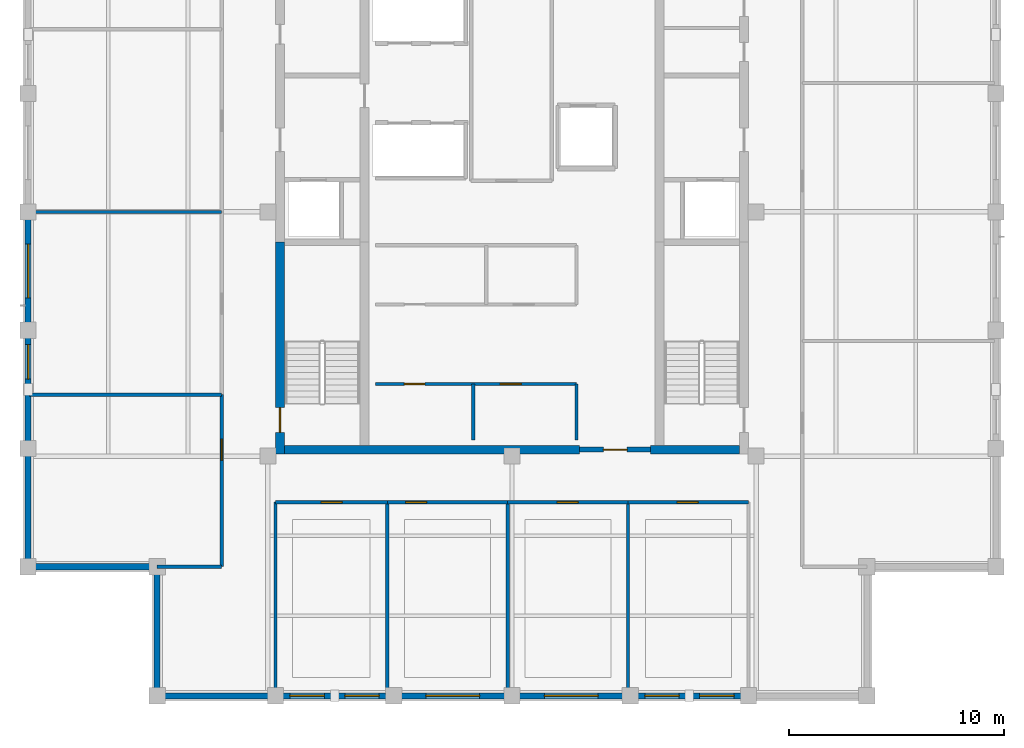
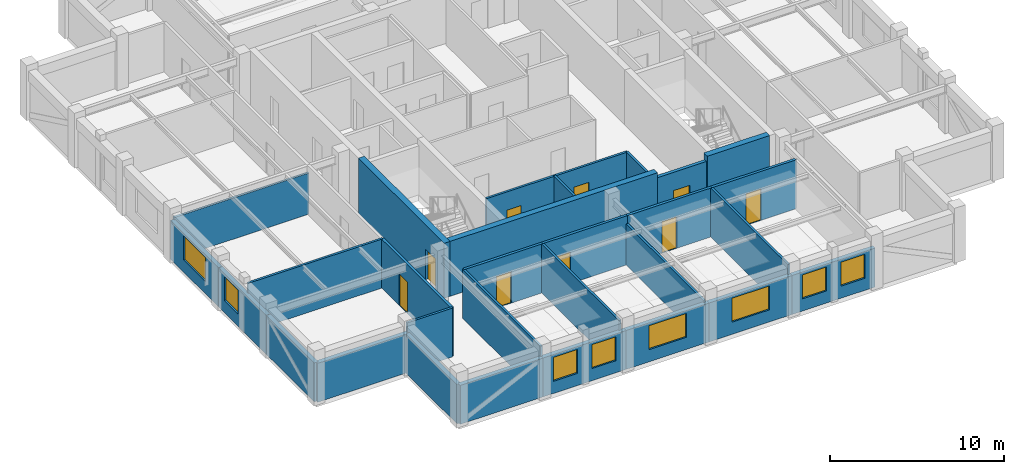
# One storey, part 5 of 10: 29 walls, 9 doors, 8 windows, 17 openings.
"""IFC4 building model written with IfcOpenShell, lengths in metres."""

from ifc_helpers import new_model, si_unit, direction, frame, frame_2d, origin, place, context, subcontext, project, spatial, rectangle, extrude, material, layer, layer_set, type_object, element, fill, save


model = new_model("IFC4")

# Units and contexts
model_context = context("Model", 3, precision=1e-05, world=origin(), true_north=direction((0.0, 1.0)))
body_context = subcontext(model_context, "Body", "Model", "MODEL_VIEW")
ifc_project = project(units=[si_unit("LENGTHUNIT", "METRE"), si_unit("AREAUNIT", "SQUARE_METRE"), si_unit("VOLUMEUNIT", "CUBIC_METRE"), si_unit("PLANEANGLEUNIT", "RADIAN"), si_unit("MASSUNIT", "GRAM", prefix="KILO")], contexts=[model_context])

# Site, building, storey
site_placement = place(None, origin())
site = spatial("IfcSite", under=ifc_project, at=site_placement, CompositionType="ELEMENT")
building_placement = place(site_placement, origin())
building = spatial("IfcBuilding", under=site, at=building_placement, Name="Nhamokura Convention Tower", CompositionType="ELEMENT")
storey_placement = place(building_placement, frame((0.0, 0.0, 262.14990234375)))
storey = spatial("IfcBuildingStorey", under=building, at=storey_placement, Name="L64", CompositionType="ELEMENT", Elevation=262.14990234375)

# Wall
ifc_material_1 = material(Name="Bronze-pigmented precast concrete C45/55", Category="concrete")
ifc_layer_1 = layer(ifc_material_1, 0.280029296875)
ifc_layer_set_1 = layer_set([ifc_layer_1], Name="BronzePrecastSpandrel_280")
wall_type_1 = type_object("IfcWallType", Name="BronzePrecastSpandrel_280", PredefinedType="USERDEFINED", material=ifc_layer_set_1)
wall_1_placement = place(storey_placement, frame((21.0, 9.5, 0.0), z_axis=(0.0, 0.0, 1.0), x_axis=(-1.0, 0.0, 0.0)))
element("IfcWall", 1, at=wall_1_placement, inside=storey, type_object=wall_type_1, Name="L64 Braced-Bay Precast Wall SOUTH 0", ObjectType="SPANDREL_WALL", PredefinedType="USERDEFINED", context=body_context, shape_type="SweptSolid", body=[
    extrude(rectangle(XDim=5.5, YDim=0.280029296875, at=frame_2d((2.75, 0.0))), origin(), (0.0, 0.0, 1.0), 2.72998046875),
])

# Wall, openings, windows
wall_2_placement = place(storey_placement, frame((26.5, 9.5, 0.0), z_axis=(0.0, 0.0, 1.0), x_axis=(-1.0, 0.0, 0.0)))
wall_2 = element("IfcWall", 2, at=wall_2_placement, inside=storey, type_object=wall_type_1, Name="L64 Masonry-Frame Wall SOUTH 1", ObjectType="SPANDREL_WALL", PredefinedType="USERDEFINED", context=body_context, shape_type="SweptSolid", body=[
    extrude(rectangle(XDim=5.5, YDim=0.280029296875, at=frame_2d((2.75, 0.0))), origin(), (0.0, 0.0, 1.0), 2.72998046875),
])
opening_1_placement = place(wall_2_placement, frame((0.675048828125, 0.0, 0.85009765625)))
opening_1 = element("IfcOpeningElement", 3, at=opening_1_placement, cuts=wall_2, Name="Opening W-11", PredefinedType="OPENING", context=body_context, shape_type="SweptSolid", body=[
    extrude(rectangle(XDim=1.60009765625, YDim=1.679931640625, at=frame_2d((0.800048828125, 0.83984375))), frame((0.0, 0.14990234375, 0.0), z_axis=(0.0, -1.0, 0.0), x_axis=(1.0, 0.0, 0.0)), (0.0, 0.0, 1.0), 0.300048828125),
])
opening_2_placement = place(wall_2_placement, frame((3.22509765625, 0.0, 0.85009765625)))
opening_2 = element("IfcOpeningElement", 4, at=opening_2_placement, cuts=wall_2, Name="Opening W-11", PredefinedType="OPENING", context=body_context, shape_type="SweptSolid", body=[
    extrude(rectangle(XDim=1.60009765625, YDim=1.679931640625, at=frame_2d((0.800048828125, 0.83984375))), frame((0.0, 0.14990234375, 0.0), z_axis=(0.0, -1.0, 0.0), x_axis=(1.0, 0.0, 0.0)), (0.0, 0.0, 1.0), 0.300048828125),
])
ifc_material_2 = material(Name="Solar-control bronze low-E double glass", Category="glass")
window_type_1 = type_object("IfcWindowType", Name="NotchCornerWindow_1600", PartitioningType="SINGLE_PANEL", PredefinedType="WINDOW", material=ifc_material_2)
window_1_placement = place(opening_1_placement, origin())
window_1 = element("IfcWindow", 5, at=window_1_placement, inside=storey, type_object=window_type_1, Name="L64 Facade Window SOUTH 1-1", OverallHeight=1.679931640625, OverallWidth=1.60009765625, PartitioningType="SINGLE_PANEL", PredefinedType="WINDOW", context=body_context, shape_type="SweptSolid", body=[
    extrude(rectangle(XDim=1.60009765625, YDim=1.679931640625, at=frame_2d((0.800048828125, 0.83984375))), frame((0.0, 0.030029296875, 0.0), z_axis=(0.0, -1.0, 0.0), x_axis=(1.0, 0.0, 0.0)), (0.0, 0.0, 1.0), 0.06005859375),
])
fill(opening_1, window_1)
window_2_placement = place(opening_2_placement, origin())
window_2 = element("IfcWindow", 6, at=window_2_placement, inside=storey, type_object=window_type_1, Name="L64 Facade Window SOUTH 1-2", OverallHeight=1.679931640625, OverallWidth=1.60009765625, PartitioningType="SINGLE_PANEL", PredefinedType="WINDOW", context=body_context, shape_type="SweptSolid", body=[
    extrude(rectangle(XDim=1.60009765625, YDim=1.679931640625, at=frame_2d((0.800048828125, 0.83984375))), frame((0.0, 0.030029296875, 0.0), z_axis=(0.0, -1.0, 0.0), x_axis=(1.0, 0.0, 0.0)), (0.0, 0.0, 1.0), 0.06005859375),
])
fill(opening_2, window_2)

# Wall, opening, window
wall_3_placement = place(storey_placement, frame((32.0, 9.5, 0.0), z_axis=(0.0, 0.0, 1.0), x_axis=(-1.0, 0.0, 0.0)))
wall_3 = element("IfcWall", 7, at=wall_3_placement, inside=storey, type_object=wall_type_1, Name="L64 Masonry-Frame Wall SOUTH 2", ObjectType="SPANDREL_WALL", PredefinedType="USERDEFINED", context=body_context, shape_type="SweptSolid", body=[
    extrude(rectangle(XDim=5.5, YDim=0.280029296875, at=frame_2d((2.75, 0.0))), origin(), (0.0, 0.0, 1.0), 2.72998046875),
])
opening_3_placement = place(wall_3_placement, frame((1.5, 0.0, 0.85009765625)))
opening_3 = element("IfcOpeningElement", 8, at=opening_3_placement, cuts=wall_3, Name="Opening W-09", PredefinedType="OPENING", context=body_context, shape_type="SweptSolid", body=[
    extrude(rectangle(XDim=2.5, YDim=1.679931640625, at=frame_2d((1.25, 0.83984375))), frame((0.0, 0.14990234375, 0.0), z_axis=(0.0, -1.0, 0.0), x_axis=(1.0, 0.0, 0.0)), (0.0, 0.0, 1.0), 0.300048828125),
])
ifc_material_3 = material(Name="Solar-control bronze low-E double glass", Category="glass")
window_type_2 = type_object("IfcWindowType", Name="SummitWindow_Z4_2500", PartitioningType="DOUBLE_PANEL_VERTICAL", PredefinedType="WINDOW", material=ifc_material_3)
window_3_placement = place(opening_3_placement, origin())
window_3 = element("IfcWindow", 9, at=window_3_placement, inside=storey, type_object=window_type_2, Name="L64 Facade Window SOUTH 2", OverallHeight=1.679931640625, OverallWidth=2.5, PartitioningType="SINGLE_PANEL", PredefinedType="WINDOW", context=body_context, shape_type="SweptSolid", body=[
    extrude(rectangle(XDim=2.5, YDim=1.679931640625, at=frame_2d((1.25, 0.83984375))), frame((0.0, 0.030029296875, 0.0), z_axis=(0.0, -1.0, 0.0), x_axis=(1.0, 0.0, 0.0)), (0.0, 0.0, 1.0), 0.06005859375),
])
fill(opening_3, window_3)

wall_4_placement = place(storey_placement, frame((37.5, 9.5, 0.0), z_axis=(0.0, 0.0, 1.0), x_axis=(-1.0, 0.0, 0.0)))
wall_4 = element("IfcWall", 10, at=wall_4_placement, inside=storey, type_object=wall_type_1, Name="L64 Masonry-Frame Wall SOUTH 3", ObjectType="SPANDREL_WALL", PredefinedType="USERDEFINED", context=body_context, shape_type="SweptSolid", body=[
    extrude(rectangle(XDim=5.5, YDim=0.280029296875, at=frame_2d((2.75, 0.0))), origin(), (0.0, 0.0, 1.0), 2.72998046875),
])
opening_4_placement = place(wall_4_placement, frame((1.5, 0.0, 0.85009765625)))
opening_4 = element("IfcOpeningElement", 11, at=opening_4_placement, cuts=wall_4, Name="Opening W-09", PredefinedType="OPENING", context=body_context, shape_type="SweptSolid", body=[
    extrude(rectangle(XDim=2.5, YDim=1.679931640625, at=frame_2d((1.25, 0.83984375))), frame((0.0, 0.14990234375, 0.0), z_axis=(0.0, -1.0, 0.0), x_axis=(1.0, 0.0, 0.0)), (0.0, 0.0, 1.0), 0.300048828125),
])
window_4_placement = place(opening_4_placement, origin())
window_4 = element("IfcWindow", 12, at=window_4_placement, inside=storey, type_object=window_type_2, Name="L64 Facade Window SOUTH 3", OverallHeight=1.679931640625, OverallWidth=2.5, PartitioningType="SINGLE_PANEL", PredefinedType="WINDOW", context=body_context, shape_type="SweptSolid", body=[
    extrude(rectangle(XDim=2.5, YDim=1.679931640625, at=frame_2d((1.25, 0.83984375))), frame((0.0, 0.030029296875, 0.0), z_axis=(0.0, -1.0, 0.0), x_axis=(1.0, 0.0, 0.0)), (0.0, 0.0, 1.0), 0.06005859375),
])
fill(opening_4, window_4)

# Wall, openings, windows
wall_5_placement = place(storey_placement, frame((43.0, 9.5, 0.0), z_axis=(0.0, 0.0, 1.0), x_axis=(-1.0, 0.0, 0.0)))
wall_5 = element("IfcWall", 13, at=wall_5_placement, inside=storey, type_object=wall_type_1, Name="L64 Masonry-Frame Wall SOUTH 4", ObjectType="SPANDREL_WALL", PredefinedType="USERDEFINED", context=body_context, shape_type="SweptSolid", body=[
    extrude(rectangle(XDim=5.5, YDim=0.280029296875, at=frame_2d((2.75, 0.0))), origin(), (0.0, 0.0, 1.0), 2.72998046875),
])
opening_5_placement = place(wall_5_placement, frame((0.675048828125, 0.0, 0.85009765625)))
opening_5 = element("IfcOpeningElement", 14, at=opening_5_placement, cuts=wall_5, Name="Opening W-11", PredefinedType="OPENING", context=body_context, shape_type="SweptSolid", body=[
    extrude(rectangle(XDim=1.60009765625, YDim=1.679931640625, at=frame_2d((0.800048828125, 0.83984375))), frame((0.0, 0.14990234375, 0.0), z_axis=(0.0, -1.0, 0.0), x_axis=(1.0, 0.0, 0.0)), (0.0, 0.0, 1.0), 0.300048828125),
])
opening_6_placement = place(wall_5_placement, frame((3.22509765625, 0.0, 0.85009765625)))
opening_6 = element("IfcOpeningElement", 15, at=opening_6_placement, cuts=wall_5, Name="Opening W-11", PredefinedType="OPENING", context=body_context, shape_type="SweptSolid", body=[
    extrude(rectangle(XDim=1.60009765625, YDim=1.679931640625, at=frame_2d((0.800048828125, 0.83984375))), frame((0.0, 0.14990234375, 0.0), z_axis=(0.0, -1.0, 0.0), x_axis=(1.0, 0.0, 0.0)), (0.0, 0.0, 1.0), 0.300048828125),
])
window_5_placement = place(opening_5_placement, origin())
window_5 = element("IfcWindow", 16, at=window_5_placement, inside=storey, type_object=window_type_1, Name="L64 Facade Window SOUTH 4-1", OverallHeight=1.679931640625, OverallWidth=1.60009765625, PartitioningType="SINGLE_PANEL", PredefinedType="WINDOW", context=body_context, shape_type="SweptSolid", body=[
    extrude(rectangle(XDim=1.60009765625, YDim=1.679931640625, at=frame_2d((0.800048828125, 0.83984375))), frame((0.0, 0.030029296875, 0.0), z_axis=(0.0, -1.0, 0.0), x_axis=(1.0, 0.0, 0.0)), (0.0, 0.0, 1.0), 0.06005859375),
])
fill(opening_5, window_5)
window_6_placement = place(opening_6_placement, origin())
window_6 = element("IfcWindow", 17, at=window_6_placement, inside=storey, type_object=window_type_1, Name="L64 Facade Window SOUTH 4-2", OverallHeight=1.679931640625, OverallWidth=1.60009765625, PartitioningType="SINGLE_PANEL", PredefinedType="WINDOW", context=body_context, shape_type="SweptSolid", body=[
    extrude(rectangle(XDim=1.60009765625, YDim=1.679931640625, at=frame_2d((0.800048828125, 0.83984375))), frame((0.0, 0.030029296875, 0.0), z_axis=(0.0, -1.0, 0.0), x_axis=(1.0, 0.0, 0.0)), (0.0, 0.0, 1.0), 0.06005859375),
])
fill(opening_6, window_6)

# Wall
wall_6_placement = place(storey_placement, frame((9.5, 15.5, 0.0), z_axis=(0.0, 0.0, 1.0), x_axis=(0.0, 1.0, 0.0)))
element("IfcWall", 18, at=wall_6_placement, inside=storey, type_object=wall_type_1, Name="L64 Braced-Bay Precast Wall WEST 0", ObjectType="SPANDREL_WALL", PredefinedType="USERDEFINED", context=body_context, shape_type="SweptSolid", body=[
    extrude(rectangle(XDim=5.5, YDim=0.280029296875, at=frame_2d((2.75, 0.0))), origin(), (0.0, 0.0, 1.0), 2.72998046875),
])

# Wall, opening, window
wall_7_placement = place(storey_placement, frame((9.5, 21.0, 0.0), z_axis=(0.0, 0.0, 1.0), x_axis=(0.0, 1.0, 0.0)))
wall_7 = element("IfcWall", 19, at=wall_7_placement, inside=storey, type_object=wall_type_1, Name="L64 Masonry-Frame Wall WEST 1", ObjectType="SPANDREL_WALL", PredefinedType="USERDEFINED", context=body_context, shape_type="SweptSolid", body=[
    extrude(rectangle(XDim=5.5, YDim=0.280029296875, at=frame_2d((2.75, 0.0))), origin(), (0.0, 0.0, 1.0), 2.72998046875),
])
opening_7_placement = place(wall_7_placement, frame((3.22509765625, 0.0, 0.85009765625)))
opening_7 = element("IfcOpeningElement", 20, at=opening_7_placement, cuts=wall_7, Name="Opening W-11", PredefinedType="OPENING", context=body_context, shape_type="SweptSolid", body=[
    extrude(rectangle(XDim=1.60009765625, YDim=1.679931640625, at=frame_2d((0.800048828125, 0.83984375))), frame((0.0, 0.14990234375, 0.0), z_axis=(0.0, -1.0, 0.0), x_axis=(1.0, 0.0, 0.0)), (0.0, 0.0, 1.0), 0.300048828125),
])
window_7_placement = place(opening_7_placement, origin())
window_7 = element("IfcWindow", 21, at=window_7_placement, inside=storey, type_object=window_type_1, Name="L64 Facade Window WEST 1-2", OverallHeight=1.679931640625, OverallWidth=1.60009765625, PartitioningType="SINGLE_PANEL", PredefinedType="WINDOW", context=body_context, shape_type="SweptSolid", body=[
    extrude(rectangle(XDim=1.60009765625, YDim=1.679931640625, at=frame_2d((0.800048828125, 0.83984375))), frame((0.0, 0.030029296875, 0.0), z_axis=(0.0, -1.0, 0.0), x_axis=(1.0, 0.0, 0.0)), (0.0, 0.0, 1.0), 0.06005859375),
])
fill(opening_7, window_7)

wall_8_placement = place(storey_placement, frame((9.5, 26.5, 0.0), z_axis=(0.0, 0.0, 1.0), x_axis=(0.0, 1.0, 0.0)))
wall_8 = element("IfcWall", 22, at=wall_8_placement, inside=storey, type_object=wall_type_1, Name="L64 Masonry-Frame Wall WEST 2", ObjectType="SPANDREL_WALL", PredefinedType="USERDEFINED", context=body_context, shape_type="SweptSolid", body=[
    extrude(rectangle(XDim=5.5, YDim=0.280029296875, at=frame_2d((2.75, 0.0))), origin(), (0.0, 0.0, 1.0), 2.72998046875),
])
opening_8_placement = place(wall_8_placement, frame((1.5, 0.0, 0.85009765625)))
opening_8 = element("IfcOpeningElement", 23, at=opening_8_placement, cuts=wall_8, Name="Opening W-09", PredefinedType="OPENING", context=body_context, shape_type="SweptSolid", body=[
    extrude(rectangle(XDim=2.5, YDim=1.679931640625, at=frame_2d((1.25, 0.83984375))), frame((0.0, 0.14990234375, 0.0), z_axis=(0.0, -1.0, 0.0), x_axis=(1.0, 0.0, 0.0)), (0.0, 0.0, 1.0), 0.300048828125),
])
window_8_placement = place(opening_8_placement, origin())
window_8 = element("IfcWindow", 24, at=window_8_placement, inside=storey, type_object=window_type_2, Name="L64 Facade Window WEST 2", OverallHeight=1.679931640625, OverallWidth=2.5, PartitioningType="SINGLE_PANEL", PredefinedType="WINDOW", context=body_context, shape_type="SweptSolid", body=[
    extrude(rectangle(XDim=2.5, YDim=1.679931640625, at=frame_2d((1.25, 0.83984375))), frame((0.0, 0.030029296875, 0.0), z_axis=(0.0, -1.0, 0.0), x_axis=(1.0, 0.0, 0.0)), (0.0, 0.0, 1.0), 0.06005859375),
])
fill(opening_8, window_8)

# Walls
for number, where, z_axis, x_axis, name in (
    (25, (15.5, 9.5, 0.0), (0.0, 0.0, 1.0), (0.0, 1.0, 0.0), "L64 Notched Corner Wall SW1"),
    (26, (15.5, 15.5, 0.0), (0.0, 0.0, 1.0), (-1.0, 0.0, 0.0), "L64 Notched Corner Wall SW2"),
):
    element("IfcWall", number, at=place(storey_placement, frame(where, z_axis=z_axis, x_axis=x_axis)), inside=storey, type_object=wall_type_1, Name=name, ObjectType="SPANDREL_WALL", PredefinedType="USERDEFINED", context=body_context, shape_type="SweptSolid", body=[
        extrude(rectangle(XDim=6.0, YDim=0.280029296875, at=frame_2d((3.0, 0.0))), origin(), (0.0, 0.0, 1.0), 2.72998046875),
    ])

# Wall, opening, door
ifc_material_4 = material(Name="Concrete C50/60", Category="concrete")
ifc_layer_2 = layer(ifc_material_4, 0.39990234375)
ifc_layer_set_2 = layer_set([ifc_layer_2], Name="CoreShearWall_400")
wall_type_2 = type_object("IfcWallType", Name="CoreShearWall_400", PredefinedType="SHEAR", material=ifc_layer_set_2)
wall_9_placement = place(storey_placement, frame((21.2099609375, 20.75, 0.0), z_axis=(0.0, 0.0, 1.0), x_axis=(0.0, 1.0, 0.0)))
wall_9 = element("IfcWall", 27, at=wall_9_placement, inside=storey, type_object=wall_type_2, Name="L64 Core Shear Wall CW-WS", PredefinedType="SHEAR", context=body_context, shape_type="SweptSolid", body=[
    extrude(rectangle(XDim=9.85009765625, YDim=0.39990234375, at=frame_2d((4.925048828125, 0.0))), origin(), (0.0, 0.0, 1.0), 3.85009765625),
])
opening_9_placement = place(wall_9_placement, frame((1.0, 0.0, 0.0)))
opening_9 = element("IfcOpeningElement", 28, at=opening_9_placement, cuts=wall_9, Name="Opening D-04", PredefinedType="OPENING", context=body_context, shape_type="SweptSolid", body=[
    extrude(rectangle(XDim=1.14990234375, YDim=2.14990234375, at=frame_2d((0.574951171875, 1.074951171875))), frame((0.0, 0.2099609375, 0.0), z_axis=(0.0, -1.0, 0.0), x_axis=(1.0, 0.0, 0.0)), (0.0, 0.0, 1.0), 0.419921875),
])
ifc_material_5 = material(Name="Fire-rated steel door", Category="steel")
door_type_1 = type_object("IfcDoorType", Name="StairSmokeDoor_1150", OperationType="NOTDEFINED", PredefinedType="DOOR", material=ifc_material_5)
door_1_placement = place(opening_9_placement, origin())
door_1 = element("IfcDoor", 29, at=door_1_placement, inside=storey, type_object=door_type_1, Name="L64 Core Door INT-L64-D-ST01", OperationType="SINGLE_SWING_LEFT", OverallHeight=2.14990234375, OverallWidth=1.14990234375, PredefinedType="DOOR", context=body_context, shape_type="SweptSolid", body=[
    extrude(rectangle(XDim=1.14990234375, YDim=2.14990234375, at=frame_2d((0.574951171875, 1.074951171875))), frame((0.0, 0.02490234375, 0.0), z_axis=(0.0, -1.0, 0.0), x_axis=(1.0, 0.0, 0.0)), (0.0, 0.0, 1.0), 0.050048828125),
])
fill(opening_9, door_1)

# Walls
wall_10_placement = place(storey_placement, frame((21.409912109375, 20.949951171875, 0.0), z_axis=(0.0, 0.0, 1.0), x_axis=(1.0, 0.0, 0.0)))
element("IfcWall", 30, at=wall_10_placement, inside=storey, type_object=wall_type_2, Name="L64 Core Shear Wall CW-S1", PredefinedType="SHEAR", context=body_context, shape_type="SweptSolid", body=[
    extrude(rectangle(XDim=13.739990234375, YDim=0.39990234375, at=frame_2d((6.8701171875, 0.0))), origin(), (0.0, 0.0, 1.0), 3.85009765625),
])
wall_11_placement = place(storey_placement, frame((38.449951171875, 20.949951171875, 0.0), z_axis=(0.0, 0.0, 1.0), x_axis=(1.0, 0.0, 0.0)))
element("IfcWall", 31, at=wall_11_placement, inside=storey, type_object=wall_type_2, Name="L64 Core Shear Wall CW-S2", PredefinedType="SHEAR", context=body_context, shape_type="SweptSolid", body=[
    extrude(rectangle(XDim=4.14013671875, YDim=0.39990234375, at=frame_2d((2.070068359375, 0.0))), origin(), (0.0, 0.0, 1.0), 3.85009765625),
])

# Wall, opening, door
ifc_material_6 = material(Name="Fire-rated gypsum and masonry partition", Category="masonry")
ifc_layer_3 = layer(ifc_material_6, 0.179931640625)
ifc_layer_set_3 = layer_set([ifc_layer_3], Name="CorridorRatedWall_180")
wall_type_3 = type_object("IfcWallType", Name="CorridorRatedWall_180", PredefinedType="STANDARD", material=ifc_layer_set_3)
wall_12_placement = place(storey_placement, frame((21.0, 18.5, 0.0), z_axis=(0.0, 0.0, 1.0), x_axis=(1.0, 0.0, 0.0)))
wall_12 = element("IfcWall", 32, at=wall_12_placement, inside=storey, type_object=wall_type_3, Name="L64 Wall INT-L64-CW-S00", PredefinedType="STANDARD", context=body_context, shape_type="SweptSolid", body=[
    extrude(rectangle(XDim=5.199951171875, YDim=0.179931640625, at=frame_2d((2.60009765625, 0.0))), origin(), (0.0, 0.0, 1.0), 3.43017578125),
])
opening_10_placement = place(wall_12_placement, frame((2.125, 0.0, 0.0)))
opening_10 = element("IfcOpeningElement", 33, at=opening_10_placement, cuts=wall_12, Name="Opening D-08", PredefinedType="OPENING", context=body_context, shape_type="SweptSolid", body=[
    extrude(rectangle(XDim=0.97998046875, YDim=2.199951171875, at=frame_2d((0.489990234375, 1.10009765625))), frame((0.0, 0.099853515625, 0.0), z_axis=(0.0, -1.0, 0.0), x_axis=(1.0, 0.0, 0.0)), (0.0, 0.0, 1.0), 0.199951171875),
])
ifc_material_7 = material(Name="Solid oak hardwood", Category="wood")
door_type_2 = type_object("IfcDoorType", Name="OfficeEntryDoor_980", OperationType="NOTDEFINED", PredefinedType="DOOR", material=ifc_material_7)
door_2_placement = place(opening_10_placement, origin())
door_2 = element("IfcDoor", 34, at=door_2_placement, inside=storey, type_object=door_type_2, Name="L64 Private Office S01 Door", OperationType="SINGLE_SWING_LEFT", OverallHeight=2.199951171875, OverallWidth=0.97998046875, PredefinedType="DOOR", context=body_context, shape_type="SweptSolid", body=[
    extrude(rectangle(XDim=0.97998046875, YDim=2.199951171875, at=frame_2d((0.489990234375, 1.10009765625))), frame((0.0, 0.02490234375, 0.0), z_axis=(0.0, -1.0, 0.0), x_axis=(1.0, 0.0, 0.0)), (0.0, 0.0, 1.0), 0.050048828125),
])
fill(opening_10, door_2)

wall_13_placement = place(storey_placement, frame((26.199951171875, 18.5, 0.0), z_axis=(0.0, 0.0, 1.0), x_axis=(1.0, 0.0, 0.0)))
wall_13 = element("IfcWall", 35, at=wall_13_placement, inside=storey, type_object=wall_type_3, Name="L64 Wall INT-L64-CW-S01", PredefinedType="STANDARD", context=body_context, shape_type="SweptSolid", body=[
    extrude(rectangle(XDim=5.60009765625, YDim=0.179931640625, at=frame_2d((2.800048828125, 0.0))), origin(), (0.0, 0.0, 1.0), 3.43017578125),
])
opening_11_placement = place(wall_13_placement, frame((0.85009765625, 0.0, 0.0)))
opening_11 = element("IfcOpeningElement", 36, at=opening_11_placement, cuts=wall_13, Name="Opening D-08", PredefinedType="OPENING", context=body_context, shape_type="SweptSolid", body=[
    extrude(rectangle(XDim=0.97998046875, YDim=2.199951171875, at=frame_2d((0.489990234375, 1.10009765625))), frame((0.0, 0.099853515625, 0.0), z_axis=(0.0, -1.0, 0.0), x_axis=(1.0, 0.0, 0.0)), (0.0, 0.0, 1.0), 0.199951171875),
])
door_3_placement = place(opening_11_placement, origin())
door_3 = element("IfcDoor", 37, at=door_3_placement, inside=storey, type_object=door_type_2, Name="L64 Private Office S02 Door", OperationType="SINGLE_SWING_RIGHT", OverallHeight=2.199951171875, OverallWidth=0.97998046875, PredefinedType="DOOR", context=body_context, shape_type="SweptSolid", body=[
    extrude(rectangle(XDim=0.97998046875, YDim=2.199951171875, at=frame_2d((0.489990234375, 1.10009765625))), frame((0.0, 0.02490234375, 0.0), z_axis=(0.0, -1.0, 0.0), x_axis=(1.0, 0.0, 0.0)), (0.0, 0.0, 1.0), 0.050048828125),
])
fill(opening_11, door_3)

wall_14_placement = place(storey_placement, frame((31.800048828125, 18.5, 0.0), z_axis=(0.0, 0.0, 1.0), x_axis=(1.0, 0.0, 0.0)))
wall_14 = element("IfcWall", 38, at=wall_14_placement, inside=storey, type_object=wall_type_3, Name="L64 Wall INT-L64-CW-S02", PredefinedType="STANDARD", context=body_context, shape_type="SweptSolid", body=[
    extrude(rectangle(XDim=5.599853515625, YDim=0.179931640625, at=frame_2d((2.7998046875, 0.0))), origin(), (0.0, 0.0, 1.0), 3.43017578125),
])
opening_12_placement = place(wall_14_placement, frame((2.300048828125, 0.0, 0.0)))
opening_12 = element("IfcOpeningElement", 39, at=opening_12_placement, cuts=wall_14, Name="Opening D-08", PredefinedType="OPENING", context=body_context, shape_type="SweptSolid", body=[
    extrude(rectangle(XDim=0.97998046875, YDim=2.199951171875, at=frame_2d((0.489990234375, 1.10009765625))), frame((0.0, 0.099853515625, 0.0), z_axis=(0.0, -1.0, 0.0), x_axis=(1.0, 0.0, 0.0)), (0.0, 0.0, 1.0), 0.199951171875),
])
door_4_placement = place(opening_12_placement, origin())
door_4 = element("IfcDoor", 40, at=door_4_placement, inside=storey, type_object=door_type_2, Name="L64 Executive Suite S03 Door", OperationType="SINGLE_SWING_LEFT", OverallHeight=2.199951171875, OverallWidth=0.97998046875, PredefinedType="DOOR", context=body_context, shape_type="SweptSolid", body=[
    extrude(rectangle(XDim=0.97998046875, YDim=2.199951171875, at=frame_2d((0.489990234375, 1.10009765625))), frame((0.0, 0.02490234375, 0.0), z_axis=(0.0, -1.0, 0.0), x_axis=(1.0, 0.0, 0.0)), (0.0, 0.0, 1.0), 0.050048828125),
])
fill(opening_12, door_4)

wall_15_placement = place(storey_placement, frame((37.39990234375, 18.5, 0.0), z_axis=(0.0, 0.0, 1.0), x_axis=(1.0, 0.0, 0.0)))
wall_15 = element("IfcWall", 41, at=wall_15_placement, inside=storey, type_object=wall_type_3, Name="L64 Wall INT-L64-CW-S03", PredefinedType="STANDARD", context=body_context, shape_type="SweptSolid", body=[
    extrude(rectangle(XDim=5.60009765625, YDim=0.179931640625, at=frame_2d((2.800048828125, 0.0))), origin(), (0.0, 0.0, 1.0), 3.43017578125),
])
opening_13_placement = place(wall_15_placement, frame((2.27490234375, 0.0, 0.0)))
opening_13 = element("IfcOpeningElement", 42, at=opening_13_placement, cuts=wall_15, Name="Opening D-08", PredefinedType="OPENING", context=body_context, shape_type="SweptSolid", body=[
    extrude(rectangle(XDim=0.97998046875, YDim=2.199951171875, at=frame_2d((0.489990234375, 1.10009765625))), frame((0.0, 0.099853515625, 0.0), z_axis=(0.0, -1.0, 0.0), x_axis=(1.0, 0.0, 0.0)), (0.0, 0.0, 1.0), 0.199951171875),
])
door_5_placement = place(opening_13_placement, origin())
door_5 = element("IfcDoor", 43, at=door_5_placement, inside=storey, type_object=door_type_2, Name="L64 Private Office S04 Door", OperationType="SINGLE_SWING_RIGHT", OverallHeight=2.199951171875, OverallWidth=0.97998046875, PredefinedType="DOOR", context=body_context, shape_type="SweptSolid", body=[
    extrude(rectangle(XDim=0.97998046875, YDim=2.199951171875, at=frame_2d((0.489990234375, 1.10009765625))), frame((0.0, 0.02490234375, 0.0), z_axis=(0.0, -1.0, 0.0), x_axis=(1.0, 0.0, 0.0)), (0.0, 0.0, 1.0), 0.050048828125),
])
fill(opening_13, door_5)

wall_16_placement = place(storey_placement, frame((18.5, 15.5, 0.0), z_axis=(0.0, 0.0, 1.0), x_axis=(0.0, 1.0, 0.0)))
wall_16 = element("IfcWall", 44, at=wall_16_placement, inside=storey, type_object=wall_type_3, Name="L64 Wall INT-L64-CW-W00", PredefinedType="STANDARD", context=body_context, shape_type="SweptSolid", body=[
    extrude(rectangle(XDim=8.0, YDim=0.179931640625, at=frame_2d((4.0, 0.0))), origin(), (0.0, 0.0, 1.0), 3.43017578125),
])
opening_14_placement = place(wall_16_placement, frame((4.949951171875, 0.0, 0.0)))
opening_14 = element("IfcOpeningElement", 45, at=opening_14_placement, cuts=wall_16, Name="Opening D-08", PredefinedType="OPENING", context=body_context, shape_type="SweptSolid", body=[
    extrude(rectangle(XDim=0.97998046875, YDim=2.199951171875, at=frame_2d((0.489990234375, 1.10009765625))), frame((0.0, 0.099853515625, 0.0), z_axis=(0.0, -1.0, 0.0), x_axis=(1.0, 0.0, 0.0)), (0.0, 0.0, 1.0), 0.199951171875),
])
door_6_placement = place(opening_14_placement, origin())
door_6 = element("IfcDoor", 46, at=door_6_placement, inside=storey, type_object=door_type_2, Name="L64 Boardroom W01 Door", OperationType="SINGLE_SWING_LEFT", OverallHeight=2.199951171875, OverallWidth=0.97998046875, PredefinedType="DOOR", context=body_context, shape_type="SweptSolid", body=[
    extrude(rectangle(XDim=0.97998046875, YDim=2.199951171875, at=frame_2d((0.489990234375, 1.10009765625))), frame((0.0, 0.02490234375, 0.0), z_axis=(0.0, -1.0, 0.0), x_axis=(1.0, 0.0, 0.0)), (0.0, 0.0, 1.0), 0.050048828125),
])
fill(opening_14, door_6)

ifc_material_8 = material(Name="Autoclaved concrete blockwork", Category="masonry")
ifc_layer_4 = layer(ifc_material_8, 0.219970703125)
ifc_layer_set_4 = layer_set([ifc_layer_4], Name="FireLobbyWall_220")
wall_type_4 = type_object("IfcWallType", Name="FireLobbyWall_220", PredefinedType="STANDARD", material=ifc_layer_set_4)
wall_17_placement = place(storey_placement, frame((35.14990234375, 20.949951171875, 0.0), z_axis=(0.0, 0.0, 1.0), x_axis=(1.0, 0.0, 0.0)))
wall_17 = element("IfcWall", 47, at=wall_17_placement, inside=storey, type_object=wall_type_4, Name="L64 Wall INT-L64-SPORT-S", PredefinedType="STANDARD", context=body_context, shape_type="SweptSolid", body=[
    extrude(rectangle(XDim=3.300048828125, YDim=0.219970703125, at=frame_2d((1.64990234375, 0.0))), origin(), (0.0, 0.0, 1.0), 3.43017578125),
])
opening_15_placement = place(wall_17_placement, frame((1.10009765625, 0.0, 0.0)))
opening_15 = element("IfcOpeningElement", 48, at=opening_15_placement, cuts=wall_17, Name="Opening D-05", PredefinedType="OPENING", context=body_context, shape_type="SweptSolid", body=[
    extrude(rectangle(XDim=1.10009765625, YDim=2.14990234375, at=frame_2d((0.550048828125, 1.074951171875))), frame((0.0, 0.119873046875, 0.0), z_axis=(0.0, -1.0, 0.0), x_axis=(1.0, 0.0, 0.0)), (0.0, 0.0, 1.0), 0.239990234375),
])
ifc_material_9 = material(Name="Fire-rated steel door", Category="steel")
door_type_3 = type_object("IfcDoorType", Name="FireLobbyDoor_1100", OperationType="NOTDEFINED", PredefinedType="DOOR", material=ifc_material_9)
door_7_placement = place(opening_15_placement, origin())
door_7 = element("IfcDoor", 49, at=door_7_placement, inside=storey, type_object=door_type_3, Name="L64 South Core Lobby Portal Door", OperationType="SINGLE_SWING_LEFT", OverallHeight=2.14990234375, OverallWidth=1.10009765625, PredefinedType="DOOR", context=body_context, shape_type="SweptSolid", body=[
    extrude(rectangle(XDim=1.10009765625, YDim=2.14990234375, at=frame_2d((0.550048828125, 1.074951171875))), frame((0.0, 0.02490234375, 0.0), z_axis=(0.0, -1.0, 0.0), x_axis=(1.0, 0.0, 0.0)), (0.0, 0.0, 1.0), 0.050048828125),
])
fill(opening_15, door_7)

# Wall, openings, doors
ifc_material_10 = material(Name="Acoustic gypsum stud partition", Category="masonry")
ifc_layer_5 = layer(ifc_material_10, 0.14990234375)
ifc_layer_set_5 = layer_set([ifc_layer_5], Name="InteriorPartition_150")
wall_type_5 = type_object("IfcWallType", Name="InteriorPartition_150", PredefinedType="STANDARD", material=ifc_layer_set_5)
wall_18_placement = place(storey_placement, frame((25.64990234375, 24.0, 0.0), z_axis=(0.0, 0.0, 1.0), x_axis=(1.0, 0.0, 0.0)))
wall_18 = element("IfcWall", 50, at=wall_18_placement, inside=storey, type_object=wall_type_5, Name="L64 Wall INT-L64-B1R-N", PredefinedType="STANDARD", context=body_context, shape_type="SweptSolid", body=[
    extrude(rectangle(XDim=9.35009765625, YDim=0.14990234375, at=frame_2d((4.675048828125, 0.0))), origin(), (0.0, 0.0, 1.0), 3.43017578125),
])
opening_16_placement = place(wall_18_placement, frame((1.35009765625, 0.0, 0.0)))
opening_16 = element("IfcOpeningElement", 51, at=opening_16_placement, cuts=wall_18, Name="Opening D-09", PredefinedType="OPENING", context=body_context, shape_type="SweptSolid", body=[
    extrude(rectangle(XDim=0.949951171875, YDim=2.14990234375, at=frame_2d((0.47509765625, 1.074951171875))), frame((0.0, 0.0849609375, 0.0), z_axis=(0.0, -1.0, 0.0), x_axis=(1.0, 0.0, 0.0)), (0.0, 0.0, 1.0), 0.169921875),
])
opening_17_placement = place(wall_18_placement, frame((5.800048828125, 0.0, 0.0)))
opening_17 = element("IfcOpeningElement", 52, at=opening_17_placement, cuts=wall_18, Name="Opening D-08", PredefinedType="OPENING", context=body_context, shape_type="SweptSolid", body=[
    extrude(rectangle(XDim=0.97998046875, YDim=2.199951171875, at=frame_2d((0.489990234375, 1.10009765625))), frame((0.0, 0.0849609375, 0.0), z_axis=(0.0, -1.0, 0.0), x_axis=(1.0, 0.0, 0.0)), (0.0, 0.0, 1.0), 0.169921875),
])
ifc_material_11 = material(Name="Solid oak hardwood", Category="wood")
door_type_4 = type_object("IfcDoorType", Name="MeetingRoomDoor_950", OperationType="NOTDEFINED", PredefinedType="DOOR", material=ifc_material_11)
door_8_placement = place(opening_16_placement, origin())
door_8 = element("IfcDoor", 53, at=door_8_placement, inside=storey, type_object=door_type_4, Name="L64 Reclaimed Briefing Room Door", OperationType="SINGLE_SWING_LEFT", OverallHeight=2.14990234375, OverallWidth=0.949951171875, PredefinedType="DOOR", context=body_context, shape_type="SweptSolid", body=[
    extrude(rectangle(XDim=0.949951171875, YDim=2.14990234375, at=frame_2d((0.47509765625, 1.074951171875))), frame((0.0, 0.02490234375, 0.0), z_axis=(0.0, -1.0, 0.0), x_axis=(1.0, 0.0, 0.0)), (0.0, 0.0, 1.0), 0.050048828125),
])
fill(opening_16, door_8)
door_9_placement = place(opening_17_placement, origin())
door_9 = element("IfcDoor", 54, at=door_9_placement, inside=storey, type_object=door_type_2, Name="L64 Reclaimed Hub Door", OperationType="SINGLE_SWING_RIGHT", OverallHeight=2.199951171875, OverallWidth=0.97998046875, PredefinedType="DOOR", context=body_context, shape_type="SweptSolid", body=[
    extrude(rectangle(XDim=0.97998046875, YDim=2.199951171875, at=frame_2d((0.489990234375, 1.10009765625))), frame((0.0, 0.02490234375, 0.0), z_axis=(0.0, -1.0, 0.0), x_axis=(1.0, 0.0, 0.0)), (0.0, 0.0, 1.0), 0.050048828125),
])
fill(opening_17, door_9)

# Walls
for number, where, z_axis, x_axis, name in (
    (55, (30.199951171875, 21.39990234375, 0.0), (0.0, 0.0, 1.0), (0.0, 1.0, 0.0), "L64 Wall INT-L64-B1R-M"),
    (56, (35.0, 21.39990234375, 0.0), (0.0, 0.0, 1.0), (0.0, 1.0, 0.0), "L64 Wall INT-L64-B1R-E"),
):
    element("IfcWall", number, at=place(storey_placement, frame(where, z_axis=z_axis, x_axis=x_axis)), inside=storey, type_object=wall_type_5, Name=name, PredefinedType="STANDARD", context=body_context, shape_type="SweptSolid", body=[
        extrude(rectangle(XDim=2.60009765625, YDim=0.14990234375, at=frame_2d((1.300048828125, 0.0))), origin(), (0.0, 0.0, 1.0), 3.43017578125),
    ])
for number, where, z_axis, x_axis, name in (
    (57, (21.0, 9.56005859375, 0.0), (0.0, 0.0, 1.0), (0.0, 1.0, 0.0), "L64 Wall INT-L64-RWL-S"),
    (58, (26.199951171875, 9.56005859375, 0.0), (0.0, 0.0, 1.0), (0.0, 1.0, 0.0), "L64 Wall INT-L64-RW-S01"),
):
    element("IfcWall", number, at=place(storey_placement, frame(where, z_axis=z_axis, x_axis=x_axis)), inside=storey, type_object=wall_type_5, Name=name, PredefinedType="STANDARD", context=body_context, shape_type="SweptSolid", body=[
        extrude(rectangle(XDim=8.93994140625, YDim=0.14990234375, at=frame_2d((4.469970703125, 0.0))), origin(), (0.0, 0.0, 1.0), 3.43017578125),
    ])
wall_19_placement = place(storey_placement, frame((31.800048828125, 9.56005859375, 0.0), z_axis=(0.0, 0.0, 1.0), x_axis=(0.0, 1.0, 0.0)))
element("IfcWall", 59, at=wall_19_placement, inside=storey, type_object=wall_type_5, Name="L64 Wall INT-L64-RW-S02", PredefinedType="STANDARD", context=body_context, shape_type="SweptSolid", body=[
    extrude(rectangle(XDim=8.93994140625, YDim=0.14990234375, at=frame_2d((4.469970703125, 0.0))), origin(), (0.0, 0.0, 1.0), 2.885009765625),
])
for number, where, z_axis, x_axis, name in (
    (60, (37.39990234375, 9.56005859375, 0.0), (0.0, 0.0, 1.0), (0.0, 1.0, 0.0), "L64 Wall INT-L64-RW-S03"),
    (61, (9.56005859375, 23.5, 0.0), (0.0, 0.0, 1.0), (1.0, 0.0, 0.0), "L64 Wall INT-L64-RW-W01"),
):
    element("IfcWall", number, at=place(storey_placement, frame(where, z_axis=z_axis, x_axis=x_axis)), inside=storey, type_object=wall_type_5, Name=name, PredefinedType="STANDARD", context=body_context, shape_type="SweptSolid", body=[
        extrude(rectangle(XDim=8.93994140625, YDim=0.14990234375, at=frame_2d((4.469970703125, 0.0))), origin(), (0.0, 0.0, 1.0), 3.43017578125),
    ])
wall_20_placement = place(storey_placement, frame((9.56005859375, 32.0, 0.0), z_axis=(0.0, 0.0, 1.0), x_axis=(1.0, 0.0, 0.0)))
element("IfcWall", 62, at=wall_20_placement, inside=storey, type_object=wall_type_5, Name="L64 Wall INT-L64-RW-W02", PredefinedType="STANDARD", context=body_context, shape_type="SweptSolid", body=[
    extrude(rectangle(XDim=8.93994140625, YDim=0.14990234375, at=frame_2d((4.469970703125, 0.0))), origin(), (0.0, 0.0, 1.0), 2.885009765625),
])
wall_21_placement = place(storey_placement, frame((15.5, 15.5, 0.0), z_axis=(0.0, 0.0, 1.0), x_axis=(1.0, 0.0, 0.0)))
element("IfcWall", 63, at=wall_21_placement, inside=storey, type_object=wall_type_5, Name="L64 Wall INT-L64-VSTP-WS", PredefinedType="STANDARD", context=body_context, shape_type="SweptSolid", body=[
    extrude(rectangle(XDim=3.0, YDim=0.14990234375, at=frame_2d((1.5, 0.0))), origin(), (0.0, 0.0, 1.0), 3.43017578125),
])

save(model, "model.ifc")
